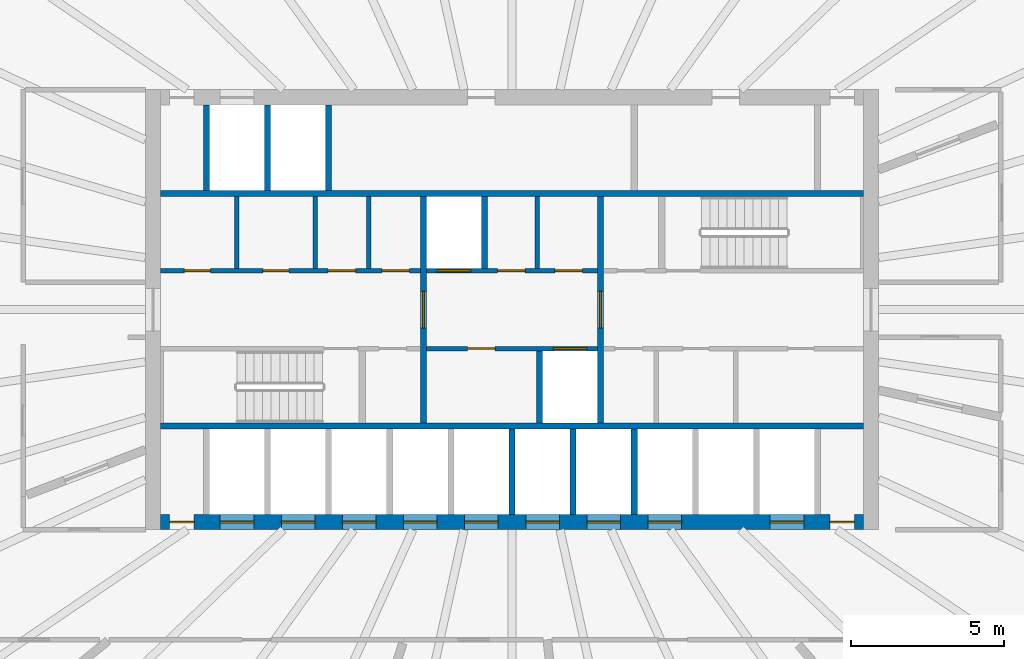
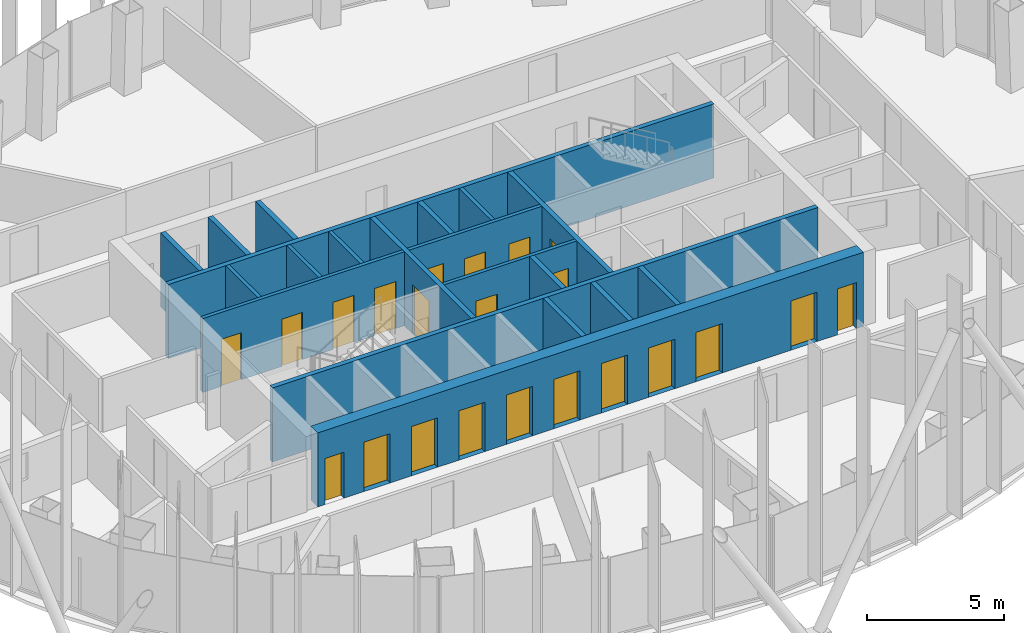
# One storey, part 9 of 19: 22 doors, 20 walls, 22 openings.
"""IFC4 building model written with IfcOpenShell, lengths in metres."""

from ifc_helpers import new_model, si_unit, direction, frame, frame_2d, origin, place, context, subcontext, project, spatial, rectangle, extrude, material, layer, layer_set, type_object, element, fill, save


model = new_model("IFC4")

# Units and contexts
model_context = context("Model", 3, precision=1e-05, world=origin(), true_north=direction((0.0, 1.0)))
body_context = subcontext(model_context, "Body", "Model", "MODEL_VIEW")
ifc_project = project(units=[si_unit("LENGTHUNIT", "METRE"), si_unit("AREAUNIT", "SQUARE_METRE"), si_unit("VOLUMEUNIT", "CUBIC_METRE"), si_unit("PLANEANGLEUNIT", "RADIAN"), si_unit("MASSUNIT", "GRAM", prefix="KILO")], contexts=[model_context])

# Site, building, storey
site_placement = place(None, origin())
site = spatial("IfcSite", under=ifc_project, at=site_placement, CompositionType="ELEMENT")
building_placement = place(site_placement, origin())
building = spatial("IfcBuilding", under=site, at=building_placement, Name="Siaravel Broadcast Tower", CompositionType="ELEMENT")
storey_placement = place(building_placement, frame((0.0, 0.0, 130.39990234375)))
storey = spatial("IfcBuildingStorey", under=building, at=storey_placement, Name="L31", CompositionType="ELEMENT", Elevation=130.39990234375)

# Walls
ifc_material_1 = material(Name="Concrete blockwork", Category="masonry")
ifc_layer_1 = layer(ifc_material_1, 0.14990234375)
ifc_layer_set_1 = layer_set([ifc_layer_1], Name="Concrete blockwork")
wall_type_1 = type_object("IfcWallType", Name="Core partition 150", PredefinedType="PARTITIONING", material=ifc_layer_set_1)
for number, where, z_axis, x_axis, name in (
    (1, (-9.010009765625, 1.35009765625, 0.0), (0.0, 0.0, 1.0), (0.0, 1.0, 0.0), "L31 core partition PNW0"),
    (2, (-6.445068359375, 1.35009765625, 0.0), (0.0, 0.0, 1.0), (0.0, 1.0, 0.0), "L31 core partition PNW1"),
    (3, (-4.68505859375, 1.35009765625, 0.0), (0.0, 0.0, 1.0), (0.0, 1.0, 0.0), "L31 core partition PNW2"),
    (4, (0.827392578125, 1.35009765625, 0.0), (0.0, 0.0, 1.0), (0.0, 1.0, 0.0), "L31 core partition PNM0"),
):
    element("IfcWall", number, at=place(storey_placement, frame(where, z_axis=z_axis, x_axis=x_axis)), inside=storey, type_object=wall_type_1, Name=name, PredefinedType="PARTITIONING", context=body_context, shape_type="SweptSolid", body=[
        extrude(rectangle(XDim=2.349853515625, YDim=0.14990234375, at=frame_2d((1.1748046875, 0.0))), origin(), (0.0, 0.0, 1.0), 3.300048828125),
    ])

# Wall, openings, doors
ifc_material_2 = material(Name="Concrete C60/75", Category="concrete")
ifc_layer_2 = layer(ifc_material_2, 0.5)
ifc_layer_set_2 = layer_set([ifc_layer_2], Name="Concrete C60/75")
wall_type_2 = type_object("IfcWallType", Name="Core wall 500", PredefinedType="SHEAR", material=ifc_layer_set_2)
wall_1_placement = place(storey_placement, frame((-11.5, -6.949951171875, 0.0), z_axis=(0.0, 0.0, 1.0), x_axis=(1.0, 0.0, 0.0)))
wall_1 = element("IfcWall", 5, at=wall_1_placement, inside=storey, type_object=wall_type_2, Name="L31 core wall OS", PredefinedType="SHEAR", context=body_context, shape_type="SweptSolid", body=[
    extrude(rectangle(XDim=23.0, YDim=0.5, at=frame_2d((11.5, 0.0))), origin(), (0.0, 0.0, 1.0), 3.300048828125),
])
opening_1_placement = place(wall_1_placement, frame((1.949951171875, 0.0, 0.0)))
opening_1 = element("IfcOpeningElement", 6, at=opening_1_placement, cuts=wall_1, Name="Opening LD-LP1-L31", PredefinedType="OPENING", context=body_context, shape_type="SweptSolid", body=[
    extrude(rectangle(XDim=1.10009765625, YDim=2.199951171875, at=frame_2d((0.550048828125, 1.10009765625))), frame((0.0, 0.260009765625, 0.0), z_axis=(0.0, -1.0, 0.0), x_axis=(1.0, 0.0, 0.0)), (0.0, 0.0, 1.0), 0.52001953125),
])
opening_2_placement = place(wall_1_placement, frame((3.949951171875, 0.0, 0.0)))
opening_2 = element("IfcOpeningElement", 7, at=opening_2_placement, cuts=wall_1, Name="Opening LD-LP2-L31", PredefinedType="OPENING", context=body_context, shape_type="SweptSolid", body=[
    extrude(rectangle(XDim=1.10009765625, YDim=2.199951171875, at=frame_2d((0.550048828125, 1.10009765625))), frame((0.0, 0.260009765625, 0.0), z_axis=(0.0, -1.0, 0.0), x_axis=(1.0, 0.0, 0.0)), (0.0, 0.0, 1.0), 0.52001953125),
])
opening_3_placement = place(wall_1_placement, frame((5.949951171875, 0.0, 0.0)))
opening_3 = element("IfcOpeningElement", 8, at=opening_3_placement, cuts=wall_1, Name="Opening LD-LP3-L31", PredefinedType="OPENING", context=body_context, shape_type="SweptSolid", body=[
    extrude(rectangle(XDim=1.10009765625, YDim=2.199951171875, at=frame_2d((0.550048828125, 1.10009765625))), frame((0.0, 0.260009765625, 0.0), z_axis=(0.0, -1.0, 0.0), x_axis=(1.0, 0.0, 0.0)), (0.0, 0.0, 1.0), 0.52001953125),
])
opening_4_placement = place(wall_1_placement, frame((7.949951171875, 0.0, 0.0)))
opening_4 = element("IfcOpeningElement", 9, at=opening_4_placement, cuts=wall_1, Name="Opening LD-LP4-L31", PredefinedType="OPENING", context=body_context, shape_type="SweptSolid", body=[
    extrude(rectangle(XDim=1.10009765625, YDim=2.199951171875, at=frame_2d((0.550048828125, 1.10009765625))), frame((0.0, 0.260009765625, 0.0), z_axis=(0.0, -1.0, 0.0), x_axis=(1.0, 0.0, 0.0)), (0.0, 0.0, 1.0), 0.52001953125),
])
opening_5_placement = place(wall_1_placement, frame((9.949951171875, 0.0, 0.0)))
opening_5 = element("IfcOpeningElement", 10, at=opening_5_placement, cuts=wall_1, Name="Opening LD-LP5-L31", PredefinedType="OPENING", context=body_context, shape_type="SweptSolid", body=[
    extrude(rectangle(XDim=1.10009765625, YDim=2.199951171875, at=frame_2d((0.550048828125, 1.10009765625))), frame((0.0, 0.260009765625, 0.0), z_axis=(0.0, -1.0, 0.0), x_axis=(1.0, 0.0, 0.0)), (0.0, 0.0, 1.0), 0.52001953125),
])
opening_6_placement = place(wall_1_placement, frame((11.949951171875, 0.0, 0.0)))
opening_6 = element("IfcOpeningElement", 11, at=opening_6_placement, cuts=wall_1, Name="Opening LD-LP6-L31", PredefinedType="OPENING", context=body_context, shape_type="SweptSolid", body=[
    extrude(rectangle(XDim=1.10009765625, YDim=2.199951171875, at=frame_2d((0.550048828125, 1.10009765625))), frame((0.0, 0.260009765625, 0.0), z_axis=(0.0, -1.0, 0.0), x_axis=(1.0, 0.0, 0.0)), (0.0, 0.0, 1.0), 0.52001953125),
])
opening_7_placement = place(wall_1_placement, frame((13.949951171875, 0.0, 0.0)))
opening_7 = element("IfcOpeningElement", 12, at=opening_7_placement, cuts=wall_1, Name="Opening LD-LP7-L31", PredefinedType="OPENING", context=body_context, shape_type="SweptSolid", body=[
    extrude(rectangle(XDim=1.10009765625, YDim=2.199951171875, at=frame_2d((0.550048828125, 1.10009765625))), frame((0.0, 0.260009765625, 0.0), z_axis=(0.0, -1.0, 0.0), x_axis=(1.0, 0.0, 0.0)), (0.0, 0.0, 1.0), 0.52001953125),
])
opening_8_placement = place(wall_1_placement, frame((15.949951171875, 0.0, 0.0)))
opening_8 = element("IfcOpeningElement", 13, at=opening_8_placement, cuts=wall_1, Name="Opening LD-LP8-L31", PredefinedType="OPENING", context=body_context, shape_type="SweptSolid", body=[
    extrude(rectangle(XDim=1.10009765625, YDim=2.199951171875, at=frame_2d((0.550048828125, 1.10009765625))), frame((0.0, 0.260009765625, 0.0), z_axis=(0.0, -1.0, 0.0), x_axis=(1.0, 0.0, 0.0)), (0.0, 0.0, 1.0), 0.52001953125),
])
opening_9_placement = place(wall_1_placement, frame((19.949951171875, 0.0, 0.0)))
opening_9 = element("IfcOpeningElement", 14, at=opening_9_placement, cuts=wall_1, Name="Opening LD-SV1-L31", PredefinedType="OPENING", context=body_context, shape_type="SweptSolid", body=[
    extrude(rectangle(XDim=1.10009765625, YDim=2.199951171875, at=frame_2d((0.550048828125, 1.10009765625))), frame((0.0, 0.260009765625, 0.0), z_axis=(0.0, -1.0, 0.0), x_axis=(1.0, 0.0, 0.0)), (0.0, 0.0, 1.0), 0.52001953125),
])
opening_10_placement = place(wall_1_placement, frame((0.300048828125, 0.0, 0.0)))
opening_10 = element("IfcOpeningElement", 15, at=opening_10_placement, cuts=wall_1, Name="Opening L31-DRSW", PredefinedType="OPENING", context=body_context, shape_type="SweptSolid", body=[
    extrude(rectangle(XDim=0.800048828125, YDim=2.050048828125, at=frame_2d((0.39990234375, 1.02490234375))), frame((0.0, 0.260009765625, 0.0), z_axis=(0.0, -1.0, 0.0), x_axis=(1.0, 0.0, 0.0)), (0.0, 0.0, 1.0), 0.52001953125),
])
opening_11_placement = place(wall_1_placement, frame((21.89990234375, 0.0, 0.0)))
opening_11 = element("IfcOpeningElement", 16, at=opening_11_placement, cuts=wall_1, Name="Opening L31-DRSE", PredefinedType="OPENING", context=body_context, shape_type="SweptSolid", body=[
    extrude(rectangle(XDim=0.800048828125, YDim=2.050048828125, at=frame_2d((0.39990234375, 1.02490234375))), frame((0.0, 0.260009765625, 0.0), z_axis=(0.0, -1.0, 0.0), x_axis=(1.0, 0.0, 0.0)), (0.0, 0.0, 1.0), 0.52001953125),
])
ifc_material_3 = material(Name="Stainless steel 316L", Category="steel")
door_type_1 = type_object("IfcDoorType", Name="Lift landing door 1100", OperationType="DOUBLE_DOOR_SLIDING", PredefinedType="DOOR", material=ifc_material_3)
door_1_placement = place(opening_1_placement, origin())
door_1 = element("IfcDoor", 17, at=door_1_placement, inside=storey, type_object=door_type_1, Name="Landing door LP1 L31", OperationType="DOUBLE_DOOR_SLIDING", OverallHeight=2.199951171875, OverallWidth=1.10009765625, PredefinedType="DOOR", context=body_context, shape_type="SweptSolid", body=[
    extrude(rectangle(XDim=1.10009765625, YDim=2.199951171875, at=frame_2d((0.550048828125, 1.10009765625))), frame((0.0, 0.02490234375, 0.0), z_axis=(0.0, -1.0, 0.0), x_axis=(1.0, 0.0, 0.0)), (0.0, 0.0, 1.0), 0.050048828125),
])
fill(opening_1, door_1)
door_2_placement = place(opening_2_placement, origin())
door_2 = element("IfcDoor", 18, at=door_2_placement, inside=storey, type_object=door_type_1, Name="Landing door LP2 L31", OperationType="DOUBLE_DOOR_SLIDING", OverallHeight=2.199951171875, OverallWidth=1.10009765625, PredefinedType="DOOR", context=body_context, shape_type="SweptSolid", body=[
    extrude(rectangle(XDim=1.10009765625, YDim=2.199951171875, at=frame_2d((0.550048828125, 1.10009765625))), frame((0.0, 0.02490234375, 0.0), z_axis=(0.0, -1.0, 0.0), x_axis=(1.0, 0.0, 0.0)), (0.0, 0.0, 1.0), 0.050048828125),
])
fill(opening_2, door_2)
door_3_placement = place(opening_3_placement, origin())
door_3 = element("IfcDoor", 19, at=door_3_placement, inside=storey, type_object=door_type_1, Name="Landing door LP3 L31", OperationType="DOUBLE_DOOR_SLIDING", OverallHeight=2.199951171875, OverallWidth=1.10009765625, PredefinedType="DOOR", context=body_context, shape_type="SweptSolid", body=[
    extrude(rectangle(XDim=1.10009765625, YDim=2.199951171875, at=frame_2d((0.550048828125, 1.10009765625))), frame((0.0, 0.02490234375, 0.0), z_axis=(0.0, -1.0, 0.0), x_axis=(1.0, 0.0, 0.0)), (0.0, 0.0, 1.0), 0.050048828125),
])
fill(opening_3, door_3)
door_4_placement = place(opening_4_placement, origin())
door_4 = element("IfcDoor", 20, at=door_4_placement, inside=storey, type_object=door_type_1, Name="Landing door LP4 L31", OperationType="DOUBLE_DOOR_SLIDING", OverallHeight=2.199951171875, OverallWidth=1.10009765625, PredefinedType="DOOR", context=body_context, shape_type="SweptSolid", body=[
    extrude(rectangle(XDim=1.10009765625, YDim=2.199951171875, at=frame_2d((0.550048828125, 1.10009765625))), frame((0.0, 0.02490234375, 0.0), z_axis=(0.0, -1.0, 0.0), x_axis=(1.0, 0.0, 0.0)), (0.0, 0.0, 1.0), 0.050048828125),
])
fill(opening_4, door_4)
door_5_placement = place(opening_5_placement, origin())
door_5 = element("IfcDoor", 21, at=door_5_placement, inside=storey, type_object=door_type_1, Name="Landing door LP5 L31", OperationType="DOUBLE_DOOR_SLIDING", OverallHeight=2.199951171875, OverallWidth=1.10009765625, PredefinedType="DOOR", context=body_context, shape_type="SweptSolid", body=[
    extrude(rectangle(XDim=1.10009765625, YDim=2.199951171875, at=frame_2d((0.550048828125, 1.10009765625))), frame((0.0, 0.02490234375, 0.0), z_axis=(0.0, -1.0, 0.0), x_axis=(1.0, 0.0, 0.0)), (0.0, 0.0, 1.0), 0.050048828125),
])
fill(opening_5, door_5)
door_6_placement = place(opening_6_placement, origin())
door_6 = element("IfcDoor", 22, at=door_6_placement, inside=storey, type_object=door_type_1, Name="Landing door LP6 L31", OperationType="DOUBLE_DOOR_SLIDING", OverallHeight=2.199951171875, OverallWidth=1.10009765625, PredefinedType="DOOR", context=body_context, shape_type="SweptSolid", body=[
    extrude(rectangle(XDim=1.10009765625, YDim=2.199951171875, at=frame_2d((0.550048828125, 1.10009765625))), frame((0.0, 0.02490234375, 0.0), z_axis=(0.0, -1.0, 0.0), x_axis=(1.0, 0.0, 0.0)), (0.0, 0.0, 1.0), 0.050048828125),
])
fill(opening_6, door_6)
door_7_placement = place(opening_7_placement, origin())
door_7 = element("IfcDoor", 23, at=door_7_placement, inside=storey, type_object=door_type_1, Name="Landing door LP7 L31", OperationType="DOUBLE_DOOR_SLIDING", OverallHeight=2.199951171875, OverallWidth=1.10009765625, PredefinedType="DOOR", context=body_context, shape_type="SweptSolid", body=[
    extrude(rectangle(XDim=1.10009765625, YDim=2.199951171875, at=frame_2d((0.550048828125, 1.10009765625))), frame((0.0, 0.02490234375, 0.0), z_axis=(0.0, -1.0, 0.0), x_axis=(1.0, 0.0, 0.0)), (0.0, 0.0, 1.0), 0.050048828125),
])
fill(opening_7, door_7)
door_8_placement = place(opening_8_placement, origin())
door_8 = element("IfcDoor", 24, at=door_8_placement, inside=storey, type_object=door_type_1, Name="Landing door LP8 L31", OperationType="DOUBLE_DOOR_SLIDING", OverallHeight=2.199951171875, OverallWidth=1.10009765625, PredefinedType="DOOR", context=body_context, shape_type="SweptSolid", body=[
    extrude(rectangle(XDim=1.10009765625, YDim=2.199951171875, at=frame_2d((0.550048828125, 1.10009765625))), frame((0.0, 0.02490234375, 0.0), z_axis=(0.0, -1.0, 0.0), x_axis=(1.0, 0.0, 0.0)), (0.0, 0.0, 1.0), 0.050048828125),
])
fill(opening_8, door_8)
ifc_material_4 = material(Name="Steel", Category="steel")
door_type_2 = type_object("IfcDoorType", Name="Riser door 800", OperationType="SINGLE_SWING_LEFT", PredefinedType="DOOR", material=ifc_material_4)
door_9_placement = place(opening_10_placement, origin())
door_9 = element("IfcDoor", 25, at=door_9_placement, inside=storey, type_object=door_type_2, Name="L31 door DRSW", OperationType="SINGLE_SWING_LEFT", OverallHeight=2.050048828125, OverallWidth=0.800048828125, PredefinedType="DOOR", context=body_context, shape_type="SweptSolid", body=[
    extrude(rectangle(XDim=0.800048828125, YDim=2.050048828125, at=frame_2d((0.39990234375, 1.02490234375))), frame((0.0, 0.02490234375, 0.0), z_axis=(0.0, -1.0, 0.0), x_axis=(1.0, 0.0, 0.0)), (0.0, 0.0, 1.0), 0.050048828125),
])
fill(opening_10, door_9)
door_10_placement = place(opening_11_placement, origin())
door_10 = element("IfcDoor", 26, at=door_10_placement, inside=storey, type_object=door_type_2, Name="L31 door DRSE", OperationType="SINGLE_SWING_LEFT", OverallHeight=2.050048828125, OverallWidth=0.800048828125, PredefinedType="DOOR", context=body_context, shape_type="SweptSolid", body=[
    extrude(rectangle(XDim=0.800048828125, YDim=2.050048828125, at=frame_2d((0.39990234375, 1.02490234375))), frame((0.0, 0.02490234375, 0.0), z_axis=(0.0, -1.0, 0.0), x_axis=(1.0, 0.0, 0.0)), (0.0, 0.0, 1.0), 0.050048828125),
])
fill(opening_11, door_10)
door_type_3 = type_object("IfcDoorType", Name="Service lift landing door 1100", OperationType="DOUBLE_DOOR_SLIDING", PredefinedType="DOOR", material=ifc_material_3)
door_11_placement = place(opening_9_placement, origin())
door_11 = element("IfcDoor", 27, at=door_11_placement, inside=storey, type_object=door_type_3, Name="Landing door SV1 L31", OperationType="DOUBLE_DOOR_SLIDING", OverallHeight=2.199951171875, OverallWidth=1.10009765625, PredefinedType="DOOR", context=body_context, shape_type="SweptSolid", body=[
    extrude(rectangle(XDim=1.10009765625, YDim=2.199951171875, at=frame_2d((0.550048828125, 1.10009765625))), frame((0.0, 0.02490234375, 0.0), z_axis=(0.0, -1.0, 0.0), x_axis=(1.0, 0.0, 0.0)), (0.0, 0.0, 1.0), 0.050048828125),
])
fill(opening_9, door_11)

ifc_material_5 = material(Name="Gypsum board partition", Category="gypsum")
ifc_layer_3 = layer(ifc_material_5, 0.14990234375)
ifc_layer_set_3 = layer_set([ifc_layer_3], Name="Gypsum board partition")
wall_type_3 = type_object("IfcWallType", Name="Corridor wall 150", PredefinedType="PARTITIONING", material=ifc_layer_set_3)
wall_2_placement = place(storey_placement, frame((-11.5, 1.27490234375, 0.0), z_axis=(0.0, 0.0, 1.0), x_axis=(1.0, 0.0, 0.0)))
wall_2 = element("IfcWall", 28, at=wall_2_placement, inside=storey, type_object=wall_type_3, Name="L31 core partition CNW", PredefinedType="PARTITIONING", context=body_context, shape_type="SweptSolid", body=[
    extrude(rectangle(XDim=8.5, YDim=0.14990234375, at=frame_2d((4.25, 0.0))), origin(), (0.0, 0.0, 1.0), 3.300048828125),
])
opening_12_placement = place(wall_2_placement, frame((0.782470703125, 0.0, 0.0)))
opening_12 = element("IfcOpeningElement", 29, at=opening_12_placement, cuts=wall_2, Name="Opening L31-DNW0", PredefinedType="OPENING", context=body_context, shape_type="SweptSolid", body=[
    extrude(rectangle(XDim=0.85009765625, YDim=2.10009765625, at=frame_2d((0.425048828125, 1.050048828125))), frame((0.0, 0.0849609375, 0.0), z_axis=(0.0, -1.0, 0.0), x_axis=(1.0, 0.0, 0.0)), (0.0, 0.0, 1.0), 0.169921875),
])
opening_13_placement = place(wall_2_placement, frame((3.347412109375, 0.0, 0.0)))
opening_13 = element("IfcOpeningElement", 30, at=opening_13_placement, cuts=wall_2, Name="Opening L31-DNW1", PredefinedType="OPENING", context=body_context, shape_type="SweptSolid", body=[
    extrude(rectangle(XDim=0.85009765625, YDim=2.10009765625, at=frame_2d((0.425048828125, 1.050048828125))), frame((0.0, 0.0849609375, 0.0), z_axis=(0.0, -1.0, 0.0), x_axis=(1.0, 0.0, 0.0)), (0.0, 0.0, 1.0), 0.169921875),
])
opening_14_placement = place(wall_2_placement, frame((5.485107421875, 0.0, 0.0)))
opening_14 = element("IfcOpeningElement", 31, at=opening_14_placement, cuts=wall_2, Name="Opening L31-DNW2", PredefinedType="OPENING", context=body_context, shape_type="SweptSolid", body=[
    extrude(rectangle(XDim=0.89990234375, YDim=2.10009765625, at=frame_2d((0.449951171875, 1.050048828125))), frame((0.0, 0.0849609375, 0.0), z_axis=(0.0, -1.0, 0.0), x_axis=(1.0, 0.0, 0.0)), (0.0, 0.0, 1.0), 0.169921875),
])
opening_15_placement = place(wall_2_placement, frame((7.2451171875, 0.0, 0.0)))
opening_15 = element("IfcOpeningElement", 32, at=opening_15_placement, cuts=wall_2, Name="Opening L31-DNW3", PredefinedType="OPENING", context=body_context, shape_type="SweptSolid", body=[
    extrude(rectangle(XDim=0.89990234375, YDim=2.10009765625, at=frame_2d((0.449951171875, 1.050048828125))), frame((0.0, 0.0849609375, 0.0), z_axis=(0.0, -1.0, 0.0), x_axis=(1.0, 0.0, 0.0)), (0.0, 0.0, 1.0), 0.169921875),
])
ifc_material_6 = material(Name="Timber veneer", Category="wood")
door_type_4 = type_object("IfcDoorType", Name="Core room door 900", OperationType="SINGLE_SWING_LEFT", PredefinedType="DOOR", material=ifc_material_6)
door_12_placement = place(opening_14_placement, origin())
door_12 = element("IfcDoor", 33, at=door_12_placement, inside=storey, type_object=door_type_4, Name="L31 door DNW2", OperationType="SINGLE_SWING_LEFT", OverallHeight=2.10009765625, OverallWidth=0.89990234375, PredefinedType="DOOR", context=body_context, shape_type="SweptSolid", body=[
    extrude(rectangle(XDim=0.89990234375, YDim=2.10009765625, at=frame_2d((0.449951171875, 1.050048828125))), frame((0.0, 0.02490234375, 0.0), z_axis=(0.0, -1.0, 0.0), x_axis=(1.0, 0.0, 0.0)), (0.0, 0.0, 1.0), 0.050048828125),
])
fill(opening_14, door_12)
door_13_placement = place(opening_15_placement, origin())
door_13 = element("IfcDoor", 34, at=door_13_placement, inside=storey, type_object=door_type_4, Name="L31 door DNW3", OperationType="SINGLE_SWING_LEFT", OverallHeight=2.10009765625, OverallWidth=0.89990234375, PredefinedType="DOOR", context=body_context, shape_type="SweptSolid", body=[
    extrude(rectangle(XDim=0.89990234375, YDim=2.10009765625, at=frame_2d((0.449951171875, 1.050048828125))), frame((0.0, 0.02490234375, 0.0), z_axis=(0.0, -1.0, 0.0), x_axis=(1.0, 0.0, 0.0)), (0.0, 0.0, 1.0), 0.050048828125),
])
fill(opening_15, door_13)
door_type_5 = type_object("IfcDoorType", Name="Core toilet door 850", OperationType="SINGLE_SWING_LEFT", PredefinedType="DOOR", material=ifc_material_6)
door_14_placement = place(opening_12_placement, origin())
door_14 = element("IfcDoor", 35, at=door_14_placement, inside=storey, type_object=door_type_5, Name="L31 door DNW0", OperationType="SINGLE_SWING_LEFT", OverallHeight=2.10009765625, OverallWidth=0.85009765625, PredefinedType="DOOR", context=body_context, shape_type="SweptSolid", body=[
    extrude(rectangle(XDim=0.85009765625, YDim=2.10009765625, at=frame_2d((0.425048828125, 1.050048828125))), frame((0.0, 0.02490234375, 0.0), z_axis=(0.0, -1.0, 0.0), x_axis=(1.0, 0.0, 0.0)), (0.0, 0.0, 1.0), 0.050048828125),
])
fill(opening_12, door_14)
door_15_placement = place(opening_13_placement, origin())
door_15 = element("IfcDoor", 36, at=door_15_placement, inside=storey, type_object=door_type_5, Name="L31 door DNW1", OperationType="SINGLE_SWING_LEFT", OverallHeight=2.10009765625, OverallWidth=0.85009765625, PredefinedType="DOOR", context=body_context, shape_type="SweptSolid", body=[
    extrude(rectangle(XDim=0.85009765625, YDim=2.10009765625, at=frame_2d((0.425048828125, 1.050048828125))), frame((0.0, 0.02490234375, 0.0), z_axis=(0.0, -1.0, 0.0), x_axis=(1.0, 0.0, 0.0)), (0.0, 0.0, 1.0), 0.050048828125),
])
fill(opening_13, door_15)

ifc_layer_4 = layer(ifc_material_2, 0.14990234375)
ifc_layer_set_4 = layer_set([ifc_layer_4], Name="Concrete C60/75")
wall_type_4 = type_object("IfcWallType", Name="Shaft wall 150", PredefinedType="SHEAR", material=ifc_layer_set_4)
wall_3_placement = place(storey_placement, frame((-2.800048828125, -1.27490234375, 0.0), z_axis=(0.0, 0.0, 1.0), x_axis=(1.0, 0.0, 0.0)))
wall_3 = element("IfcWall", 37, at=wall_3_placement, inside=storey, type_object=wall_type_4, Name="L31 core wall CSM", PredefinedType="SHEAR", context=body_context, shape_type="SweptSolid", body=[
    extrude(rectangle(XDim=5.60009765625, YDim=0.14990234375, at=frame_2d((2.800048828125, 0.0))), origin(), (0.0, 0.0, 1.0), 3.300048828125),
])
opening_16_placement = place(wall_3_placement, frame((4.14990234375, 0.0, 0.0)))
opening_16 = element("IfcOpeningElement", 38, at=opening_16_placement, cuts=wall_3, Name="Opening LD-FL2-L31", PredefinedType="OPENING", context=body_context, shape_type="SweptSolid", body=[
    extrude(rectangle(XDim=1.10009765625, YDim=2.199951171875, at=frame_2d((0.550048828125, 1.10009765625))), frame((0.0, 0.0849609375, 0.0), z_axis=(0.0, -1.0, 0.0), x_axis=(1.0, 0.0, 0.0)), (0.0, 0.0, 1.0), 0.169921875),
])
opening_17_placement = place(wall_3_placement, frame((1.35009765625, 0.0, 0.0)))
opening_17 = element("IfcOpeningElement", 39, at=opening_17_placement, cuts=wall_3, Name="Opening L31-DSM0", PredefinedType="OPENING", context=body_context, shape_type="SweptSolid", body=[
    extrude(rectangle(XDim=0.89990234375, YDim=2.10009765625, at=frame_2d((0.449951171875, 1.050048828125))), frame((0.0, 0.0849609375, 0.0), z_axis=(0.0, -1.0, 0.0), x_axis=(1.0, 0.0, 0.0)), (0.0, 0.0, 1.0), 0.169921875),
])
door_16_placement = place(opening_17_placement, origin())
door_16 = element("IfcDoor", 40, at=door_16_placement, inside=storey, type_object=door_type_4, Name="L31 door DSM0", OperationType="SINGLE_SWING_LEFT", OverallHeight=2.10009765625, OverallWidth=0.89990234375, PredefinedType="DOOR", context=body_context, shape_type="SweptSolid", body=[
    extrude(rectangle(XDim=0.89990234375, YDim=2.10009765625, at=frame_2d((0.449951171875, 1.050048828125))), frame((0.0, 0.02490234375, 0.0), z_axis=(0.0, -1.0, 0.0), x_axis=(1.0, 0.0, 0.0)), (0.0, 0.0, 1.0), 0.050048828125),
])
fill(opening_17, door_16)
door_type_6 = type_object("IfcDoorType", Name="Firefighting lift landing door 1100", OperationType="DOUBLE_DOOR_SLIDING", PredefinedType="DOOR", material=ifc_material_3)
door_17_placement = place(opening_16_placement, origin())
door_17 = element("IfcDoor", 41, at=door_17_placement, inside=storey, type_object=door_type_6, Name="Landing door FL2 L31", OperationType="DOUBLE_DOOR_SLIDING", OverallHeight=2.199951171875, OverallWidth=1.10009765625, PredefinedType="DOOR", context=body_context, shape_type="SweptSolid", body=[
    extrude(rectangle(XDim=1.10009765625, YDim=2.199951171875, at=frame_2d((0.550048828125, 1.10009765625))), frame((0.0, 0.02490234375, 0.0), z_axis=(0.0, -1.0, 0.0), x_axis=(1.0, 0.0, 0.0)), (0.0, 0.0, 1.0), 0.050048828125),
])
fill(opening_16, door_17)

wall_4_placement = place(storey_placement, frame((-2.800048828125, 1.27490234375, 0.0), z_axis=(0.0, 0.0, 1.0), x_axis=(1.0, 0.0, 0.0)))
wall_4 = element("IfcWall", 42, at=wall_4_placement, inside=storey, type_object=wall_type_4, Name="L31 core wall CNM", PredefinedType="SHEAR", context=body_context, shape_type="SweptSolid", body=[
    extrude(rectangle(XDim=5.60009765625, YDim=0.14990234375, at=frame_2d((2.800048828125, 0.0))), origin(), (0.0, 0.0, 1.0), 3.300048828125),
])
opening_18_placement = place(wall_4_placement, frame((0.35009765625, 0.0, 0.0)))
opening_18 = element("IfcOpeningElement", 43, at=opening_18_placement, cuts=wall_4, Name="Opening LD-FL1-L31", PredefinedType="OPENING", context=body_context, shape_type="SweptSolid", body=[
    extrude(rectangle(XDim=1.10009765625, YDim=2.199951171875, at=frame_2d((0.550048828125, 1.10009765625))), frame((0.0, 0.0849609375, 0.0), z_axis=(0.0, -1.0, 0.0), x_axis=(1.0, 0.0, 0.0)), (0.0, 0.0, 1.0), 0.169921875),
])
opening_19_placement = place(wall_4_placement, frame((2.326171875, 0.0, 0.0)))
opening_19 = element("IfcOpeningElement", 44, at=opening_19_placement, cuts=wall_4, Name="Opening L31-DNM0", PredefinedType="OPENING", context=body_context, shape_type="SweptSolid", body=[
    extrude(rectangle(XDim=0.89990234375, YDim=2.10009765625, at=frame_2d((0.449951171875, 1.050048828125))), frame((0.0, 0.0849609375, 0.0), z_axis=(0.0, -1.0, 0.0), x_axis=(1.0, 0.0, 0.0)), (0.0, 0.0, 1.0), 0.169921875),
])
opening_20_placement = place(wall_4_placement, frame((4.201171875, 0.0, 0.0)))
opening_20 = element("IfcOpeningElement", 45, at=opening_20_placement, cuts=wall_4, Name="Opening L31-DNM1", PredefinedType="OPENING", context=body_context, shape_type="SweptSolid", body=[
    extrude(rectangle(XDim=0.89990234375, YDim=2.10009765625, at=frame_2d((0.449951171875, 1.050048828125))), frame((0.0, 0.0849609375, 0.0), z_axis=(0.0, -1.0, 0.0), x_axis=(1.0, 0.0, 0.0)), (0.0, 0.0, 1.0), 0.169921875),
])
door_18_placement = place(opening_19_placement, origin())
door_18 = element("IfcDoor", 46, at=door_18_placement, inside=storey, type_object=door_type_4, Name="L31 door DNM0", OperationType="SINGLE_SWING_LEFT", OverallHeight=2.10009765625, OverallWidth=0.89990234375, PredefinedType="DOOR", context=body_context, shape_type="SweptSolid", body=[
    extrude(rectangle(XDim=0.89990234375, YDim=2.10009765625, at=frame_2d((0.449951171875, 1.050048828125))), frame((0.0, 0.02490234375, 0.0), z_axis=(0.0, -1.0, 0.0), x_axis=(1.0, 0.0, 0.0)), (0.0, 0.0, 1.0), 0.050048828125),
])
fill(opening_19, door_18)
door_19_placement = place(opening_20_placement, origin())
door_19 = element("IfcDoor", 47, at=door_19_placement, inside=storey, type_object=door_type_4, Name="L31 door DNM1", OperationType="SINGLE_SWING_LEFT", OverallHeight=2.10009765625, OverallWidth=0.89990234375, PredefinedType="DOOR", context=body_context, shape_type="SweptSolid", body=[
    extrude(rectangle(XDim=0.89990234375, YDim=2.10009765625, at=frame_2d((0.449951171875, 1.050048828125))), frame((0.0, 0.02490234375, 0.0), z_axis=(0.0, -1.0, 0.0), x_axis=(1.0, 0.0, 0.0)), (0.0, 0.0, 1.0), 0.050048828125),
])
fill(opening_20, door_19)
door_20_placement = place(opening_18_placement, origin())
door_20 = element("IfcDoor", 48, at=door_20_placement, inside=storey, type_object=door_type_6, Name="Landing door FL1 L31", OperationType="DOUBLE_DOOR_SLIDING", OverallHeight=2.199951171875, OverallWidth=1.10009765625, PredefinedType="DOOR", context=body_context, shape_type="SweptSolid", body=[
    extrude(rectangle(XDim=1.10009765625, YDim=2.199951171875, at=frame_2d((0.550048828125, 1.10009765625))), frame((0.0, 0.02490234375, 0.0), z_axis=(0.0, -1.0, 0.0), x_axis=(1.0, 0.0, 0.0)), (0.0, 0.0, 1.0), 0.050048828125),
])
fill(opening_18, door_20)

# Walls
ifc_layer_5 = layer(ifc_material_2, 0.199951171875)
ifc_layer_set_5 = layer_set([ifc_layer_5], Name="Concrete C60/75")
wall_type_5 = type_object("IfcWallType", Name="Shaft wall 200", PredefinedType="SHEAR", material=ifc_layer_set_5)
for number, where, z_axis, x_axis, name in (
    (49, (-11.5, -3.800048828125, 0.0), (0.0, 0.0, 1.0), (1.0, 0.0, 0.0), "L31 core wall BS"),
    (50, (-11.5, 3.800048828125, 0.0), (0.0, 0.0, 1.0), (1.0, 0.0, 0.0), "L31 core wall BN"),
):
    element("IfcWall", number, at=place(storey_placement, frame(where, z_axis=z_axis, x_axis=x_axis)), inside=storey, type_object=wall_type_5, Name=name, PredefinedType="SHEAR", context=body_context, shape_type="SweptSolid", body=[
        extrude(rectangle(XDim=23.0, YDim=0.199951171875, at=frame_2d((11.5, 0.0))), origin(), (0.0, 0.0, 1.0), 3.300048828125),
    ])
for number, where, z_axis, x_axis, name in (
    (51, (0.0, -6.699951171875, 0.0), (0.0, 0.0, 1.0), (0.0, 1.0, 0.0), "L31 core wall SWS5"),
    (52, (2.0, -6.699951171875, 0.0), (0.0, 0.0, 1.0), (0.0, 1.0, 0.0), "L31 core wall SWS6"),
    (53, (4.0, -6.699951171875, 0.0), (0.0, 0.0, 1.0), (0.0, 1.0, 0.0), "L31 core wall SWS7"),
    (54, (-10.0, 3.89990234375, 0.0), (0.0, 0.0, 1.0), (0.0, 1.0, 0.0), "L31 core wall SWN0"),
    (55, (-8.0, 3.89990234375, 0.0), (0.0, 0.0, 1.0), (0.0, 1.0, 0.0), "L31 core wall SWN1"),
    (56, (-6.0, 3.89990234375, 0.0), (0.0, 0.0, 1.0), (0.0, 1.0, 0.0), "L31 core wall SWN2"),
):
    element("IfcWall", number, at=place(storey_placement, frame(where, z_axis=z_axis, x_axis=x_axis)), inside=storey, type_object=wall_type_5, Name=name, PredefinedType="SHEAR", context=body_context, shape_type="SweptSolid", body=[
        extrude(rectangle(XDim=2.800048828125, YDim=0.199951171875, at=frame_2d((1.39990234375, 0.0))), origin(), (0.0, 0.0, 1.0), 3.300048828125),
    ])

# Wall, opening, door
wall_5_placement = place(storey_placement, frame((-2.89990234375, -3.699951171875, 0.0), z_axis=(0.0, 0.0, 1.0), x_axis=(0.0, 1.0, 0.0)))
wall_5 = element("IfcWall", 57, at=wall_5_placement, inside=storey, type_object=wall_type_5, Name="L31 core wall LW", PredefinedType="SHEAR", context=body_context, shape_type="SweptSolid", body=[
    extrude(rectangle(XDim=7.39990234375, YDim=0.199951171875, at=frame_2d((3.699951171875, 0.0))), origin(), (0.0, 0.0, 1.0), 3.300048828125),
])
opening_21_placement = place(wall_5_placement, frame((3.10009765625, 0.0, 0.0)))
opening_21 = element("IfcOpeningElement", 58, at=opening_21_placement, cuts=wall_5, Name="Opening L31-DL-W", PredefinedType="OPENING", context=body_context, shape_type="SweptSolid", body=[
    extrude(rectangle(XDim=1.199951171875, YDim=2.199951171875, at=frame_2d((0.60009765625, 1.10009765625))), frame((0.0, 0.10986328125, 0.0), z_axis=(0.0, -1.0, 0.0), x_axis=(1.0, 0.0, 0.0)), (0.0, 0.0, 1.0), 0.219970703125),
])
door_type_7 = type_object("IfcDoorType", Name="Firefighting lobby door 1200", OperationType="SINGLE_SWING_LEFT", PredefinedType="DOOR", material=ifc_material_4)
door_21_placement = place(opening_21_placement, origin())
door_21 = element("IfcDoor", 59, at=door_21_placement, inside=storey, type_object=door_type_7, Name="L31 door DL-W", OperationType="SINGLE_SWING_LEFT", OverallHeight=2.199951171875, OverallWidth=1.199951171875, PredefinedType="DOOR", context=body_context, shape_type="SweptSolid", body=[
    extrude(rectangle(XDim=1.199951171875, YDim=2.199951171875, at=frame_2d((0.60009765625, 1.10009765625))), frame((0.0, 0.02490234375, 0.0), z_axis=(0.0, -1.0, 0.0), x_axis=(1.0, 0.0, 0.0)), (0.0, 0.0, 1.0), 0.050048828125),
])
fill(opening_21, door_21)

wall_6_placement = place(storey_placement, frame((2.89990234375, -3.699951171875, 0.0), z_axis=(0.0, 0.0, 1.0), x_axis=(0.0, 1.0, 0.0)))
wall_6 = element("IfcWall", 60, at=wall_6_placement, inside=storey, type_object=wall_type_5, Name="L31 core wall LE", PredefinedType="SHEAR", context=body_context, shape_type="SweptSolid", body=[
    extrude(rectangle(XDim=7.39990234375, YDim=0.199951171875, at=frame_2d((3.699951171875, 0.0))), origin(), (0.0, 0.0, 1.0), 3.300048828125),
])
opening_22_placement = place(wall_6_placement, frame((3.10009765625, 0.0, 0.0)))
opening_22 = element("IfcOpeningElement", 61, at=opening_22_placement, cuts=wall_6, Name="Opening L31-DL-E", PredefinedType="OPENING", context=body_context, shape_type="SweptSolid", body=[
    extrude(rectangle(XDim=1.199951171875, YDim=2.199951171875, at=frame_2d((0.60009765625, 1.10009765625))), frame((0.0, 0.10986328125, 0.0), z_axis=(0.0, -1.0, 0.0), x_axis=(1.0, 0.0, 0.0)), (0.0, 0.0, 1.0), 0.219970703125),
])
door_22_placement = place(opening_22_placement, origin())
door_22 = element("IfcDoor", 62, at=door_22_placement, inside=storey, type_object=door_type_7, Name="L31 door DL-E", OperationType="SINGLE_SWING_LEFT", OverallHeight=2.199951171875, OverallWidth=1.199951171875, PredefinedType="DOOR", context=body_context, shape_type="SweptSolid", body=[
    extrude(rectangle(XDim=1.199951171875, YDim=2.199951171875, at=frame_2d((0.60009765625, 1.10009765625))), frame((0.0, 0.02490234375, 0.0), z_axis=(0.0, -1.0, 0.0), x_axis=(1.0, 0.0, 0.0)), (0.0, 0.0, 1.0), 0.050048828125),
])
fill(opening_22, door_22)

# Walls
for number, where, z_axis, x_axis, name in (
    (63, (-0.89990234375, 1.35009765625, 0.0), (0.0, 0.0, 1.0), (0.0, 1.0, 0.0), "L31 core wall FF1E"),
    (64, (0.89990234375, -3.699951171875, 0.0), (0.0, 0.0, 1.0), (0.0, 1.0, 0.0), "L31 core wall FF2W"),
):
    element("IfcWall", number, at=place(storey_placement, frame(where, z_axis=z_axis, x_axis=x_axis)), inside=storey, type_object=wall_type_5, Name=name, PredefinedType="SHEAR", context=body_context, shape_type="SweptSolid", body=[
        extrude(rectangle(XDim=2.349853515625, YDim=0.199951171875, at=frame_2d((1.1748046875, 0.0))), origin(), (0.0, 0.0, 1.0), 3.300048828125),
    ])

save(model, "model.ifc")
